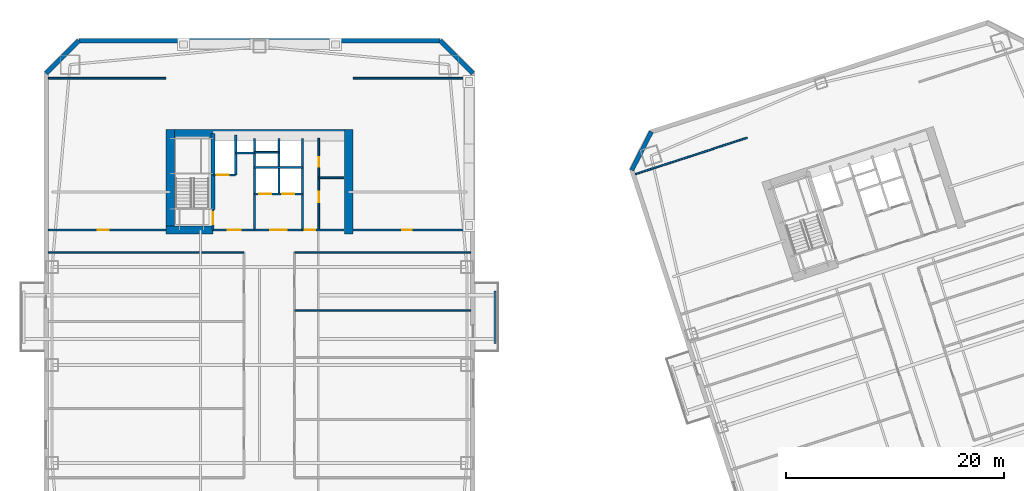
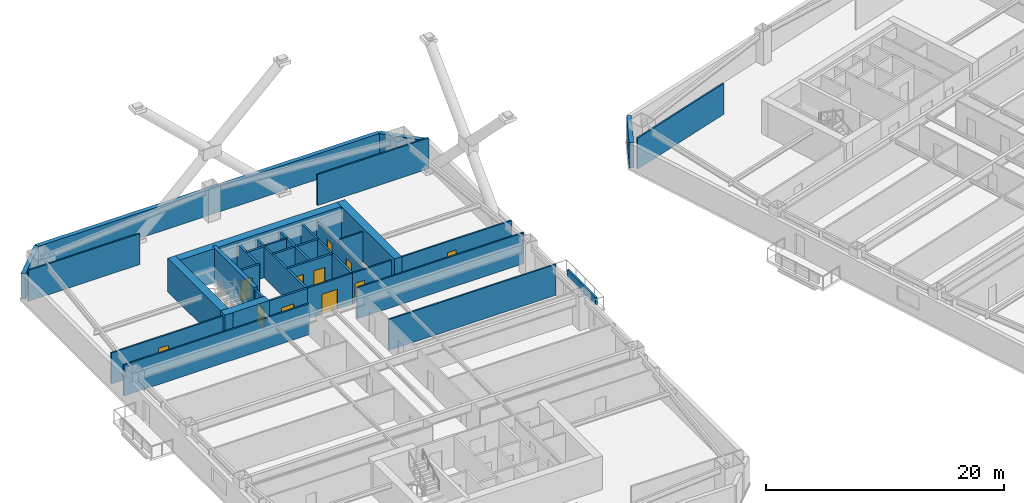
# One storey, part 6 of 15: 33 walls, 11 doors, 11 openings.
"""IFC4 building model written with IfcOpenShell, lengths in metres."""

from ifc_helpers import new_model, si_unit, direction, frame, frame_2d, origin, place, context, subcontext, project, spatial, rectangle, extrude, material, layer, layer_set, type_object, element, fill, save


model = new_model("IFC4")

# Units and contexts
model_context = context("Model", 3, precision=1e-05, world=origin(), true_north=direction((0.0, 1.0)))
body_context = subcontext(model_context, "Body", "Model", "MODEL_VIEW")
ifc_project = project(units=[si_unit("LENGTHUNIT", "METRE"), si_unit("AREAUNIT", "SQUARE_METRE"), si_unit("VOLUMEUNIT", "CUBIC_METRE"), si_unit("PLANEANGLEUNIT", "RADIAN"), si_unit("MASSUNIT", "GRAM", prefix="KILO")], contexts=[model_context])

# Site, building, storey
site_placement = place(None, origin())
site = spatial("IfcSite", under=ifc_project, at=site_placement, CompositionType="ELEMENT")
building_placement = place(site_placement, origin())
building = spatial("IfcBuilding", under=site, at=building_placement, Name="Qiaolan Cultural Towers", CompositionType="ELEMENT")
storey_placement = place(building_placement, frame((0.0, 0.0, 71.300048828125)))
storey = spatial("IfcBuildingStorey", under=building, at=storey_placement, Name="L17", CompositionType="ELEMENT", Elevation=71.300048828125)

# Walls
ifc_material_1 = material(Name="Concrete C50", Category="concrete")
ifc_layer_1 = layer(ifc_material_1, 0.35009765625)
ifc_layer_set_1 = layer_set([ifc_layer_1], Name="Concrete C50")
wall_type_1 = type_object("IfcWallType", Name="WL-CORE-350", PredefinedType="SHEAR", material=ifc_layer_set_1)
wall_1_placement = place(storey_placement, frame((25.719970703125, 48.300048828125, 0.0), z_axis=(0.0, 0.0, 1.0), x_axis=(0.0, 1.0, 0.0)))
element("IfcWall", 1, at=wall_1_placement, inside=storey, type_object=wall_type_1, Name="L17 T1-CN Stair Core Dividing Web", PredefinedType="SHEAR", context=body_context, shape_type="SweptSolid", body=[
    extrude(rectangle(XDim=6.97998046875, YDim=0.35009765625, at=frame_2d((3.489990234375, 0.0))), origin(), (0.0, 0.0, 1.0), 3.449951171875),
])
ifc_material_2 = material(Name="Concrete C60", Category="concrete")
ifc_layer_2 = layer(ifc_material_2, 0.75)
ifc_layer_set_2 = layer_set([ifc_layer_2], Name="Concrete C60")
wall_type_2 = type_object("IfcWallType", Name="WL-CORE-750", PredefinedType="SHEAR", material=ifc_layer_set_2)
wall_2_placement = place(storey_placement, frame((21.425048828125, 55.280029296875, 0.0), z_axis=(0.0, 0.0, 1.0), x_axis=(1.0, 0.0, 0.0)))
element("IfcWall", 2, at=wall_2_placement, inside=storey, type_object=wall_type_2, Name="L17 T1-CN Outer Core Shear Wall", PredefinedType="SHEAR", context=body_context, shape_type="SweptSolid", body=[
    extrude(rectangle(XDim=17.14990234375, YDim=0.75, at=frame_2d((8.574951171875, 0.0))), origin(), (0.0, 0.0, 1.0), 3.449951171875),
])
for number, where, z_axis, x_axis, name in (
    (3, (21.800048828125, 46.02490234375, 0.0), (0.0, 0.0, 1.0), (0.0, 1.0, 0.0), "L17 T1-CN West Core Shear Wall"),
    (4, (38.199951171875, 46.02490234375, 0.0), (0.0, 0.0, 1.0), (0.0, 1.0, 0.0), "L17 T1-CN East Core Shear Wall"),
):
    element("IfcWall", number, at=place(storey_placement, frame(where, z_axis=z_axis, x_axis=x_axis)), inside=storey, type_object=wall_type_2, Name=name, PredefinedType="SHEAR", context=body_context, shape_type="SweptSolid", body=[
        extrude(rectangle(XDim=9.630126953125, YDim=0.75, at=frame_2d((4.81494140625, 0.0))), origin(), (0.0, 0.0, 1.0), 3.449951171875),
    ])
wall_3_placement = place(storey_placement, frame((21.425048828125, 46.39990234375, 0.0), z_axis=(0.0, 0.0, 1.0), x_axis=(1.0, 0.0, 0.0)))
element("IfcWall", 5, at=wall_3_placement, inside=storey, type_object=wall_type_2, Name="L17 T1-CN Stair Front Shear Wall", PredefinedType="SHEAR", context=body_context, shape_type="SweptSolid", body=[
    extrude(rectangle(XDim=4.294921875, YDim=0.75, at=frame_2d((2.1474609375, 0.0))), origin(), (0.0, 0.0, 1.0), 3.449951171875),
])
ifc_material_3 = material(Name="Precast Concrete C50 Honed Stone Pier", Category="masonry")
ifc_layer_3 = layer(ifc_material_3, 0.39990234375)
ifc_layer_set_3 = layer_set([ifc_layer_3], Name="Precast Concrete C50 Honed Stone Pier")
wall_type_3 = type_object("IfcWallType", Name="WL-EXT-PIER-400", PredefinedType="SOLIDWALL", material=ifc_layer_set_3)
wall_4_placement = place(storey_placement, frame((10.39990234375, 60.800048828125, 0.0), z_axis=(0.0, 0.0, 1.0), x_axis=(0.707106781187, 0.707106781187, 0.0)))
element("IfcWall", 6, at=wall_4_placement, inside=storey, type_object=wall_type_3, Name="L17 West Tower Precast Pier Facade Wall F2", PredefinedType="SOLIDWALL", context=body_context, shape_type="SweptSolid", body=[
    extrude(rectangle(XDim=4.24267578125, YDim=0.39990234375, at=frame_2d((2.121337890625, 0.0))), origin(), (0.0, 0.0, 1.0), 2.60986328125),
])
wall_5_placement = place(storey_placement, frame((13.39990234375, 63.800048828125, 0.0), z_axis=(0.0, 0.0, 1.0), x_axis=(1.0, 0.0, 0.0)))
element("IfcWall", 7, at=wall_5_placement, inside=storey, type_object=wall_type_3, Name="L17 West Tower Precast Pier Facade Wall F3", PredefinedType="SOLIDWALL", context=body_context, shape_type="SweptSolid", body=[
    extrude(rectangle(XDim=33.2001953125, YDim=0.39990234375, at=frame_2d((16.60009765625, 0.0))), origin(), (0.0, 0.0, 1.0), 2.60986328125),
])
wall_6_placement = place(storey_placement, frame((46.60009765625, 63.800048828125, 0.0), z_axis=(0.0, 0.0, 1.0), x_axis=(0.707106781187, -0.707106781187, 0.0)))
element("IfcWall", 8, at=wall_6_placement, inside=storey, type_object=wall_type_3, Name="L17 West Tower Precast Pier Facade Wall F4", PredefinedType="SOLIDWALL", context=body_context, shape_type="SweptSolid", body=[
    extrude(rectangle(XDim=4.24267578125, YDim=0.39990234375, at=frame_2d((2.121337890625, 0.0))), origin(), (0.0, 0.0, 1.0), 2.60986328125),
])
wall_7_placement = place(storey_placement, frame((64.20458984375, 51.905029296875, 0.0), z_axis=(0.0, 0.0, 1.0), x_axis=(0.453958106755, 0.891023028497, 0.0)))
element("IfcWall", 9, at=wall_7_placement, inside=storey, type_object=wall_type_3, Name="L17 East Tower Precast Pier Facade Wall F2", PredefinedType="SOLIDWALL", context=body_context, shape_type="SweptSolid", body=[
    extrude(rectangle(XDim=3.9599609375, YDim=0.39990234375, at=frame_2d((1.97998046875, 0.0))), origin(), (0.0, 0.0, 1.0), 2.60986328125),
])

# Wall, opening, door
ifc_material_4 = material(Name="Concrete C35 Fire Wall", Category="concrete")
ifc_layer_4 = layer(ifc_material_4, 0.199951171875)
ifc_layer_set_4 = layer_set([ifc_layer_4], Name="Concrete C35 Fire Wall")
wall_type_4 = type_object("IfcWallType", Name="WL-FIRE-200", PredefinedType="PARTITIONING", material=ifc_layer_set_4)
wall_8_placement = place(storey_placement, frame((25.719970703125, 46.39990234375, 0.0), z_axis=(0.0, 0.0, 1.0), x_axis=(0.0, 1.0, 0.0)))
wall_8 = element("IfcWall", 10, at=wall_8_placement, inside=storey, type_object=wall_type_4, Name="L17 T1-CN Smokeproof Stair Entry Wall", PredefinedType="PARTITIONING", context=body_context, shape_type="SweptSolid", body=[
    extrude(rectangle(XDim=1.900146484375, YDim=0.199951171875, at=frame_2d((0.9501953125, 0.0))), origin(), (0.0, 0.0, 1.0), 3.175048828125),
])
opening_1_placement = place(wall_8_placement, frame((0.52001953125, 0.0, 0.0)))
opening_1 = element("IfcOpeningElement", 11, at=opening_1_placement, cuts=wall_8, Name="Opening FD-04", PredefinedType="OPENING", context=body_context, shape_type="SweptSolid", body=[
    extrude(rectangle(XDim=1.10009765625, YDim=2.050048828125, at=frame_2d((0.550048828125, 1.02490234375))), frame((0.0, 0.10986328125, 0.0), z_axis=(0.0, -1.0, 0.0), x_axis=(1.0, 0.0, 0.0)), (0.0, 0.0, 1.0), 0.219970703125),
])
ifc_material_5 = material(Name="Galvanized Steel Command Fire Door", Category="steel")
door_type_1 = type_object("IfcDoorType", Name="DR-FD90-1100", OperationType="NOTDEFINED", PredefinedType="DOOR", material=ifc_material_5)
door_1_placement = place(opening_1_placement, origin())
door_1 = element("IfcDoor", 12, at=door_1_placement, inside=storey, type_object=door_type_1, Name="L17 ST-W2 Smokeproof Stair Fire Door", OperationType="SINGLE_SWING_LEFT", OverallHeight=2.050048828125, OverallWidth=1.10009765625, PredefinedType="DOOR", context=body_context, shape_type="SweptSolid", body=[
    extrude(rectangle(XDim=1.10009765625, YDim=2.050048828125, at=frame_2d((0.550048828125, 1.02490234375))), frame((0.0, 0.02490234375, 0.0), z_axis=(0.0, -1.0, 0.0), x_axis=(1.0, 0.0, 0.0)), (0.0, 0.0, 1.0), 0.050048828125),
])
fill(opening_1, door_1)

# Wall
wall_9_placement = place(storey_placement, frame((29.550048828125, 46.39990234375, 0.0), z_axis=(0.0, 0.0, 1.0), x_axis=(0.0, 1.0, 0.0)))
element("IfcWall", 13, at=wall_9_placement, inside=storey, type_object=wall_type_4, Name="L17 T1-CN Firefighting Zone Wall", PredefinedType="PARTITIONING", context=body_context, shape_type="SweptSolid", body=[
    extrude(rectangle(XDim=8.43017578125, YDim=0.199951171875, at=frame_2d((4.215087890625, 0.0))), origin(), (0.0, 0.0, 1.0), 3.175048828125),
])

# Wall, opening, door
wall_10_placement = place(storey_placement, frame((25.719970703125, 46.39990234375, 0.0), z_axis=(0.0, 0.0, 1.0), x_axis=(1.0, 0.0, 0.0)))
wall_10 = element("IfcWall", 14, at=wall_10_placement, inside=storey, type_object=wall_type_4, Name="L17 T1-CN Firefighting Lobby Front Wall", PredefinedType="PARTITIONING", context=body_context, shape_type="SweptSolid", body=[
    extrude(rectangle(XDim=3.830078125, YDim=0.199951171875, at=frame_2d((1.9150390625, 0.0))), origin(), (0.0, 0.0, 1.0), 3.175048828125),
])
opening_2_placement = place(wall_10_placement, frame((1.35009765625, 0.0, 0.0)))
opening_2 = element("IfcOpeningElement", 15, at=opening_2_placement, cuts=wall_10, Name="Opening FD-03", PredefinedType="OPENING", context=body_context, shape_type="SweptSolid", body=[
    extrude(rectangle(XDim=1.199951171875, YDim=2.050048828125, at=frame_2d((0.60009765625, 1.02490234375))), frame((0.0, 0.10986328125, 0.0), z_axis=(0.0, -1.0, 0.0), x_axis=(1.0, 0.0, 0.0)), (0.0, 0.0, 1.0), 0.219970703125),
])
ifc_material_6 = material(Name="Galvanized Steel Smokeproof Lobby Fire Door", Category="steel")
door_type_2 = type_object("IfcDoorType", Name="DR-FD90-1200", OperationType="NOTDEFINED", PredefinedType="DOOR", material=ifc_material_6)
door_2_placement = place(opening_2_placement, origin())
door_2 = element("IfcDoor", 16, at=door_2_placement, inside=storey, type_object=door_type_2, Name="L17 FFL-W2 Firefighting Lobby Fire Door", OperationType="SINGLE_SWING_LEFT", OverallHeight=2.050048828125, OverallWidth=1.199951171875, PredefinedType="DOOR", context=body_context, shape_type="SweptSolid", body=[
    extrude(rectangle(XDim=1.199951171875, YDim=2.050048828125, at=frame_2d((0.60009765625, 1.02490234375))), frame((0.0, 0.02490234375, 0.0), z_axis=(0.0, -1.0, 0.0), x_axis=(1.0, 0.0, 0.0)), (0.0, 0.0, 1.0), 0.050048828125),
])
fill(opening_2, door_2)

wall_11_placement = place(storey_placement, frame((25.719970703125, 51.449951171875, 0.0), z_axis=(0.0, 0.0, 1.0), x_axis=(1.0, 0.0, 0.0)))
wall_11 = element("IfcWall", 17, at=wall_11_placement, inside=storey, type_object=wall_type_4, Name="L17 T1-CN Firefighting Shaft Front Wall", PredefinedType="PARTITIONING", context=body_context, shape_type="SweptSolid", body=[
    extrude(rectangle(XDim=2.10009765625, YDim=0.199951171875, at=frame_2d((1.050048828125, 0.0))), origin(), (0.0, 0.0, 1.0), 3.175048828125),
])
opening_3_placement = place(wall_11_placement, frame((0.35009765625, 0.0, 0.0)))
opening_3 = element("IfcOpeningElement", 18, at=opening_3_placement, cuts=wall_11, Name="Opening LD-01", PredefinedType="OPENING", context=body_context, shape_type="SweptSolid", body=[
    extrude(rectangle(XDim=1.10009765625, YDim=2.050048828125, at=frame_2d((0.550048828125, 1.02490234375))), frame((0.0, 0.10986328125, 0.0), z_axis=(0.0, -1.0, 0.0), x_axis=(1.0, 0.0, 0.0)), (0.0, 0.0, 1.0), 0.219970703125),
])
ifc_material_7 = material(Name="Brushed Stainless Steel S30408 Centre-Parting Lift Landing Door", Category="steel")
door_type_3 = type_object("IfcDoorType", Name="DR-LIFT-1100", OperationType="NOTDEFINED", PredefinedType="DOOR", material=ifc_material_7)
door_3_placement = place(opening_3_placement, origin())
door_3 = element("IfcDoor", 19, at=door_3_placement, inside=storey, type_object=door_type_3, Name="L17 FFL-W2 Firefighting Lift Landing Door", OperationType="DOUBLE_DOOR_SLIDING", OverallHeight=2.050048828125, OverallWidth=1.10009765625, PredefinedType="DOOR", context=body_context, shape_type="SweptSolid", body=[
    extrude(rectangle(XDim=1.10009765625, YDim=2.050048828125, at=frame_2d((0.550048828125, 1.02490234375))), frame((0.0, 0.02490234375, 0.0), z_axis=(0.0, -1.0, 0.0), x_axis=(1.0, 0.0, 0.0)), (0.0, 0.0, 1.0), 0.050048828125),
])
fill(opening_3, door_3)

# Walls
wall_12_placement = place(storey_placement, frame((27.820068359375, 51.449951171875, 0.0), z_axis=(0.0, 0.0, 1.0), x_axis=(0.0, 1.0, 0.0)))
element("IfcWall", 20, at=wall_12_placement, inside=storey, type_object=wall_type_4, Name="L17 T1-CN Firefighting Hoistway East Wall", PredefinedType="PARTITIONING", context=body_context, shape_type="SweptSolid", body=[
    extrude(rectangle(XDim=3.699951171875, YDim=0.199951171875, at=frame_2d((1.85009765625, 0.0))), origin(), (0.0, 0.0, 1.0), 3.175048828125),
])
wall_13_placement = place(storey_placement, frame((27.820068359375, 53.47998046875, 0.0), z_axis=(0.0, 0.0, 1.0), x_axis=(1.0, 0.0, 0.0)))
element("IfcWall", 21, at=wall_13_placement, inside=storey, type_object=wall_type_4, Name="L17 T1-CN Pressurization Shaft Front Wall", PredefinedType="PARTITIONING", context=body_context, shape_type="SweptSolid", body=[
    extrude(rectangle(XDim=1.72998046875, YDim=0.199951171875, at=frame_2d((0.864990234375, 0.0))), origin(), (0.0, 0.0, 1.0), 3.175048828125),
])
wall_14_placement = place(storey_placement, frame((33.949951171875, 46.39990234375, 0.0), z_axis=(0.0, 0.0, 1.0), x_axis=(0.0, 1.0, 0.0)))
element("IfcWall", 22, at=wall_14_placement, inside=storey, type_object=wall_type_4, Name="L17 T1-CN Lift Core East Wall", PredefinedType="PARTITIONING", context=body_context, shape_type="SweptSolid", body=[
    extrude(rectangle(XDim=8.43017578125, YDim=0.199951171875, at=frame_2d((4.215087890625, 0.0))), origin(), (0.0, 0.0, 1.0), 3.175048828125),
])

# Wall, openings, doors
wall_15_placement = place(storey_placement, frame((29.550048828125, 49.719970703125, 0.0), z_axis=(0.0, 0.0, 1.0), x_axis=(1.0, 0.0, 0.0)))
wall_15 = element("IfcWall", 23, at=wall_15_placement, inside=storey, type_object=wall_type_4, Name="L17 T1-CN Passenger Lift Shaft Front Wall", PredefinedType="PARTITIONING", context=body_context, shape_type="SweptSolid", body=[
    extrude(rectangle(XDim=4.39990234375, YDim=0.199951171875, at=frame_2d((2.199951171875, 0.0))), origin(), (0.0, 0.0, 1.0), 3.175048828125),
])
opening_4_placement = place(wall_15_placement, frame((0.449951171875, 0.0, 0.0)))
opening_4 = element("IfcOpeningElement", 24, at=opening_4_placement, cuts=wall_15, Name="Opening LD-01", PredefinedType="OPENING", context=body_context, shape_type="SweptSolid", body=[
    extrude(rectangle(XDim=1.10009765625, YDim=2.050048828125, at=frame_2d((0.550048828125, 1.02490234375))), frame((0.0, 0.10986328125, 0.0), z_axis=(0.0, -1.0, 0.0), x_axis=(1.0, 0.0, 0.0)), (0.0, 0.0, 1.0), 0.219970703125),
])
opening_5_placement = place(wall_15_placement, frame((2.550048828125, 0.0, 0.0)))
opening_5 = element("IfcOpeningElement", 25, at=opening_5_placement, cuts=wall_15, Name="Opening LD-01", PredefinedType="OPENING", context=body_context, shape_type="SweptSolid", body=[
    extrude(rectangle(XDim=1.10009765625, YDim=2.050048828125, at=frame_2d((0.550048828125, 1.02490234375))), frame((0.0, 0.10986328125, 0.0), z_axis=(0.0, -1.0, 0.0), x_axis=(1.0, 0.0, 0.0)), (0.0, 0.0, 1.0), 0.219970703125),
])
door_4_placement = place(opening_4_placement, origin())
door_4 = element("IfcDoor", 26, at=door_4_placement, inside=storey, type_object=door_type_3, Name="L17 Passenger Lift 1 Landing Door", OperationType="DOUBLE_DOOR_SLIDING", OverallHeight=2.050048828125, OverallWidth=1.10009765625, PredefinedType="DOOR", context=body_context, shape_type="SweptSolid", body=[
    extrude(rectangle(XDim=1.10009765625, YDim=2.050048828125, at=frame_2d((0.550048828125, 1.02490234375))), frame((0.0, 0.02490234375, 0.0), z_axis=(0.0, -1.0, 0.0), x_axis=(1.0, 0.0, 0.0)), (0.0, 0.0, 1.0), 0.050048828125),
])
fill(opening_4, door_4)
door_5_placement = place(opening_5_placement, origin())
door_5 = element("IfcDoor", 27, at=door_5_placement, inside=storey, type_object=door_type_3, Name="L17 Passenger Lift 2 Landing Door", OperationType="DOUBLE_DOOR_SLIDING", OverallHeight=2.050048828125, OverallWidth=1.10009765625, PredefinedType="DOOR", context=body_context, shape_type="SweptSolid", body=[
    extrude(rectangle(XDim=1.10009765625, YDim=2.050048828125, at=frame_2d((0.550048828125, 1.02490234375))), frame((0.0, 0.02490234375, 0.0), z_axis=(0.0, -1.0, 0.0), x_axis=(1.0, 0.0, 0.0)), (0.0, 0.0, 1.0), 0.050048828125),
])
fill(opening_5, door_5)

# Walls
wall_16_placement = place(storey_placement, frame((31.780029296875, 49.719970703125, 0.0), z_axis=(0.0, 0.0, 1.0), x_axis=(0.0, 1.0, 0.0)))
element("IfcWall", 28, at=wall_16_placement, inside=storey, type_object=wall_type_4, Name="L17 T1-CN Lift Shaft Divider Wall", PredefinedType="PARTITIONING", context=body_context, shape_type="SweptSolid", body=[
    extrude(rectangle(XDim=5.110107421875, YDim=0.199951171875, at=frame_2d((2.55517578125, 0.0))), origin(), (0.0, 0.0, 1.0), 3.175048828125),
])
wall_17_placement = place(storey_placement, frame((29.550048828125, 52.14990234375, 0.0), z_axis=(0.0, 0.0, 1.0), x_axis=(1.0, 0.0, 0.0)))
element("IfcWall", 29, at=wall_17_placement, inside=storey, type_object=wall_type_4, Name="L17 T1-CN Passenger Lift Shaft Back Wall", PredefinedType="PARTITIONING", context=body_context, shape_type="SweptSolid", body=[
    extrude(rectangle(XDim=4.39990234375, YDim=0.199951171875, at=frame_2d((2.199951171875, 0.0))), origin(), (0.0, 0.0, 1.0), 3.175048828125),
])

# Wall, opening, door
ifc_material_8 = material(Name="Autoclaved Aerated Concrete Block B06", Category="concrete")
ifc_layer_5 = layer(ifc_material_8, 0.14990234375)
ifc_layer_set_5 = layer_set([ifc_layer_5], Name="Autoclaved Aerated Concrete Block B06")
wall_type_5 = type_object("IfcWallType", Name="WL-PART-150", PredefinedType="PARTITIONING", material=ifc_layer_set_5)
wall_18_placement = place(storey_placement, frame((29.550048828125, 46.39990234375, 0.0), z_axis=(0.0, 0.0, 1.0), x_axis=(1.0, 0.0, 0.0)))
wall_18 = element("IfcWall", 30, at=wall_18_placement, inside=storey, type_object=wall_type_5, Name="L17 T1-CN Passenger Lift Lobby Front Wall", PredefinedType="PARTITIONING", context=body_context, shape_type="SweptSolid", body=[
    extrude(rectangle(XDim=4.39990234375, YDim=0.14990234375, at=frame_2d((2.199951171875, 0.0))), origin(), (0.0, 0.0, 1.0), 3.175048828125),
])
opening_6_placement = place(wall_18_placement, frame((1.449951171875, 0.0, 0.0)))
opening_6 = element("IfcOpeningElement", 31, at=opening_6_placement, cuts=wall_18, Name="Opening FD-05", PredefinedType="OPENING", context=body_context, shape_type="SweptSolid", body=[
    extrude(rectangle(XDim=1.5, YDim=2.050048828125, at=frame_2d((0.75, 1.02490234375))), frame((0.0, 0.0849609375, 0.0), z_axis=(0.0, -1.0, 0.0), x_axis=(1.0, 0.0, 0.0)), (0.0, 0.0, 1.0), 0.169921875),
])
ifc_material_9 = material(Name="Painted Steel Lift Lobby Fire Door", Category="steel")
door_type_4 = type_object("IfcDoorType", Name="DR-FD60-1500", OperationType="NOTDEFINED", PredefinedType="DOOR", material=ifc_material_9)
door_6_placement = place(opening_6_placement, origin())
door_6 = element("IfcDoor", 32, at=door_6_placement, inside=storey, type_object=door_type_4, Name="L17 Passenger Lift Lobby Entrance", OperationType="SINGLE_SWING_LEFT", OverallHeight=2.050048828125, OverallWidth=1.5, PredefinedType="DOOR", context=body_context, shape_type="SweptSolid", body=[
    extrude(rectangle(XDim=1.5, YDim=2.050048828125, at=frame_2d((0.75, 1.02490234375))), frame((0.0, 0.02490234375, 0.0), z_axis=(0.0, -1.0, 0.0), x_axis=(1.0, 0.0, 0.0)), (0.0, 0.0, 1.0), 0.050048828125),
])
fill(opening_6, door_6)

# Wall
wall_19_placement = place(storey_placement, frame((29.550048828125, 53.550048828125, 0.0), z_axis=(0.0, 0.0, 1.0), x_axis=(1.0, 0.0, 0.0)))
element("IfcWall", 33, at=wall_19_placement, inside=storey, type_object=wall_type_5, Name="L17 T1-CN Core Rear Riser Split", PredefinedType="PARTITIONING", context=body_context, shape_type="SweptSolid", body=[
    extrude(rectangle(XDim=2.22998046875, YDim=0.14990234375, at=frame_2d((1.114990234375, 0.0))), origin(), (0.0, 0.0, 1.0), 3.175048828125),
])

# Wall, opening, door
wall_20_placement = place(storey_placement, frame((33.949951171875, 46.39990234375, 0.0), z_axis=(0.0, 0.0, 1.0), x_axis=(1.0, 0.0, 0.0)))
wall_20 = element("IfcWall", 34, at=wall_20_placement, inside=storey, type_object=wall_type_5, Name="L17 T1-CN Sanitary Core Front Wall", PredefinedType="PARTITIONING", context=body_context, shape_type="SweptSolid", body=[
    extrude(rectangle(XDim=3.800048828125, YDim=0.14990234375, at=frame_2d((1.89990234375, 0.0))), origin(), (0.0, 0.0, 1.0), 3.175048828125),
])
opening_7_placement = place(wall_20_placement, frame((0.219970703125, 0.0, 0.0)))
opening_7 = element("IfcOpeningElement", 35, at=opening_7_placement, cuts=wall_20, Name="Opening ID-05", PredefinedType="OPENING", context=body_context, shape_type="SweptSolid", body=[
    extrude(rectangle(XDim=0.949951171875, YDim=2.050048828125, at=frame_2d((0.47509765625, 1.02490234375))), frame((0.0, 0.0849609375, 0.0), z_axis=(0.0, -1.0, 0.0), x_axis=(1.0, 0.0, 0.0)), (0.0, 0.0, 1.0), 0.169921875),
])
ifc_material_10 = material(Name="Fire-Rated Laminate Accessible Core Door", Category="timber")
door_type_5 = type_object("IfcDoorType", Name="DR-INT-950", OperationType="NOTDEFINED", PredefinedType="DOOR", material=ifc_material_10)
door_7_placement = place(opening_7_placement, origin())
door_7 = element("IfcDoor", 36, at=door_7_placement, inside=storey, type_object=door_type_5, Name="L17 Sanitary Lobby Door", OperationType="SINGLE_SWING_LEFT", OverallHeight=2.050048828125, OverallWidth=0.949951171875, PredefinedType="DOOR", context=body_context, shape_type="SweptSolid", body=[
    extrude(rectangle(XDim=0.949951171875, YDim=2.050048828125, at=frame_2d((0.47509765625, 1.02490234375))), frame((0.0, 0.02490234375, 0.0), z_axis=(0.0, -1.0, 0.0), x_axis=(1.0, 0.0, 0.0)), (0.0, 0.0, 1.0), 0.050048828125),
])
fill(opening_7, door_7)

# Wall, openings, doors
wall_21_placement = place(storey_placement, frame((35.449951171875, 46.39990234375, 0.0), z_axis=(0.0, 0.0, 1.0), x_axis=(0.0, 1.0, 0.0)))
wall_21 = element("IfcWall", 37, at=wall_21_placement, inside=storey, type_object=wall_type_5, Name="L17 T1-CN Washroom Split Wall", PredefinedType="PARTITIONING", context=body_context, shape_type="SweptSolid", body=[
    extrude(rectangle(XDim=8.43017578125, YDim=0.14990234375, at=frame_2d((4.215087890625, 0.0))), origin(), (0.0, 0.0, 1.0), 2.81494140625),
])
opening_8_placement = place(wall_21_placement, frame((2.550048828125, 0.0, 0.0)))
opening_8 = element("IfcOpeningElement", 38, at=opening_8_placement, cuts=wall_21, Name="Opening ID-05", PredefinedType="OPENING", context=body_context, shape_type="SweptSolid", body=[
    extrude(rectangle(XDim=0.949951171875, YDim=2.050048828125, at=frame_2d((0.47509765625, 1.02490234375))), frame((0.0, 0.0849609375, 0.0), z_axis=(0.0, -1.0, 0.0), x_axis=(1.0, 0.0, 0.0)), (0.0, 0.0, 1.0), 0.169921875),
])
opening_9_placement = place(wall_21_placement, frame((5.800048828125, 0.0, 0.0)))
opening_9 = element("IfcOpeningElement", 39, at=opening_9_placement, cuts=wall_21, Name="Opening ID-06", PredefinedType="OPENING", context=body_context, shape_type="SweptSolid", body=[
    extrude(rectangle(XDim=0.89990234375, YDim=2.050048828125, at=frame_2d((0.449951171875, 1.02490234375))), frame((0.0, 0.0849609375, 0.0), z_axis=(0.0, -1.0, 0.0), x_axis=(1.0, 0.0, 0.0)), (0.0, 0.0, 1.0), 0.169921875),
])
ifc_material_11 = material(Name="Fire-Rated Laminate Core Service Door", Category="timber")
door_type_6 = type_object("IfcDoorType", Name="DR-INT-900", OperationType="NOTDEFINED", PredefinedType="DOOR", material=ifc_material_11)
door_8_placement = place(opening_9_placement, origin())
door_8 = element("IfcDoor", 40, at=door_8_placement, inside=storey, type_object=door_type_6, Name="L17 First-Aid Room Door", OperationType="SINGLE_SWING_RIGHT", OverallHeight=2.050048828125, OverallWidth=0.89990234375, PredefinedType="DOOR", context=body_context, shape_type="SweptSolid", body=[
    extrude(rectangle(XDim=0.89990234375, YDim=2.050048828125, at=frame_2d((0.449951171875, 1.02490234375))), frame((0.0, 0.02490234375, 0.0), z_axis=(0.0, -1.0, 0.0), x_axis=(1.0, 0.0, 0.0)), (0.0, 0.0, 1.0), 0.050048828125),
])
fill(opening_9, door_8)
door_9_placement = place(opening_8_placement, origin())
door_9 = element("IfcDoor", 41, at=door_9_placement, inside=storey, type_object=door_type_5, Name="L17 Accessible Washroom Door", OperationType="SINGLE_SWING_LEFT", OverallHeight=2.050048828125, OverallWidth=0.949951171875, PredefinedType="DOOR", context=body_context, shape_type="SweptSolid", body=[
    extrude(rectangle(XDim=0.949951171875, YDim=2.050048828125, at=frame_2d((0.47509765625, 1.02490234375))), frame((0.0, 0.02490234375, 0.0), z_axis=(0.0, -1.0, 0.0), x_axis=(1.0, 0.0, 0.0)), (0.0, 0.0, 1.0), 0.050048828125),
])
fill(opening_8, door_9)

# Walls
wall_22_placement = place(storey_placement, frame((35.449951171875, 51.199951171875, 0.0), z_axis=(0.0, 0.0, 1.0), x_axis=(1.0, 0.0, 0.0)))
element("IfcWall", 42, at=wall_22_placement, inside=storey, type_object=wall_type_5, Name="L17 T1-CN First-Aid Wall", PredefinedType="PARTITIONING", context=body_context, shape_type="SweptSolid", body=[
    extrude(rectangle(XDim=2.300048828125, YDim=0.14990234375, at=frame_2d((1.14990234375, 0.0))), origin(), (0.0, 0.0, 1.0), 3.175048828125),
])
wall_23_placement = place(storey_placement, frame((10.60009765625, 60.35009765625, 0.0), z_axis=(0.0, 0.0, 1.0), x_axis=(1.0, 0.0, 0.0)))
element("IfcWall", 43, at=wall_23_placement, inside=storey, type_object=wall_type_5, Name="L17 T1 Flank Wall FLK-NW", PredefinedType="PARTITIONING", context=body_context, shape_type="SweptSolid", body=[
    extrude(rectangle(XDim=10.7998046875, YDim=0.14990234375, at=frame_2d((5.39990234375, 0.0))), origin(), (0.0, 0.0, 1.0), 3.175048828125),
])

# Wall, opening, door
wall_24_placement = place(storey_placement, frame((10.60009765625, 46.39990234375, 0.0), z_axis=(0.0, 0.0, 1.0), x_axis=(1.0, 0.0, 0.0)))
wall_24 = element("IfcWall", 44, at=wall_24_placement, inside=storey, type_object=wall_type_5, Name="L17 T1 Flank Front FLK-NW", PredefinedType="PARTITIONING", context=body_context, shape_type="SweptSolid", body=[
    extrude(rectangle(XDim=10.7998046875, YDim=0.14990234375, at=frame_2d((5.39990234375, 0.0))), origin(), (0.0, 0.0, 1.0), 3.175048828125),
])
opening_10_placement = place(wall_24_placement, frame((4.535888671875, 0.0, 0.0)))
opening_10 = element("IfcOpeningElement", 45, at=opening_10_placement, cuts=wall_24, Name="Opening ID-04", PredefinedType="OPENING", context=body_context, shape_type="SweptSolid", body=[
    extrude(rectangle(XDim=1.0, YDim=2.050048828125, at=frame_2d((0.5, 1.02490234375))), frame((0.0, 0.0849609375, 0.0), z_axis=(0.0, -1.0, 0.0), x_axis=(1.0, 0.0, 0.0)), (0.0, 0.0, 1.0), 0.169921875),
])
ifc_material_12 = material(Name="Oak Veneer Acoustic Office Door", Category="timber")
door_type_7 = type_object("IfcDoorType", Name="DR-INT-1000", OperationType="NOTDEFINED", PredefinedType="DOOR", material=ifc_material_12)
door_10_placement = place(opening_10_placement, origin())
door_10 = element("IfcDoor", 46, at=door_10_placement, inside=storey, type_object=door_type_7, Name="L17 T1 Corner Studio Door", OperationType="SINGLE_SWING_LEFT", OverallHeight=2.050048828125, OverallWidth=1.0, PredefinedType="DOOR", context=body_context, shape_type="SweptSolid", body=[
    extrude(rectangle(XDim=1.0, YDim=2.050048828125, at=frame_2d((0.5, 1.02490234375))), frame((0.0, 0.02490234375, 0.0), z_axis=(0.0, -1.0, 0.0), x_axis=(1.0, 0.0, 0.0)), (0.0, 0.0, 1.0), 0.050048828125),
])
fill(opening_10, door_10)

# Wall
wall_25_placement = place(storey_placement, frame((38.60009765625, 60.35009765625, 0.0), z_axis=(0.0, 0.0, 1.0), x_axis=(1.0, 0.0, 0.0)))
element("IfcWall", 47, at=wall_25_placement, inside=storey, type_object=wall_type_5, Name="L17 T1 Flank Wall FLK-NE", PredefinedType="PARTITIONING", context=body_context, shape_type="SweptSolid", body=[
    extrude(rectangle(XDim=10.7998046875, YDim=0.14990234375, at=frame_2d((5.39990234375, 0.0))), origin(), (0.0, 0.0, 1.0), 3.175048828125),
])

# Wall, opening, door
wall_26_placement = place(storey_placement, frame((38.60009765625, 46.39990234375, 0.0), z_axis=(0.0, 0.0, 1.0), x_axis=(1.0, 0.0, 0.0)))
wall_26 = element("IfcWall", 48, at=wall_26_placement, inside=storey, type_object=wall_type_5, Name="L17 T1 Flank Front FLK-NE", PredefinedType="PARTITIONING", context=body_context, shape_type="SweptSolid", body=[
    extrude(rectangle(XDim=10.7998046875, YDim=0.14990234375, at=frame_2d((5.39990234375, 0.0))), origin(), (0.0, 0.0, 1.0), 3.175048828125),
])
opening_11_placement = place(wall_26_placement, frame((4.535888671875, 0.0, 0.0)))
opening_11 = element("IfcOpeningElement", 49, at=opening_11_placement, cuts=wall_26, Name="Opening ID-09", PredefinedType="OPENING", context=body_context, shape_type="SweptSolid", body=[
    extrude(rectangle(XDim=0.85009765625, YDim=2.050048828125, at=frame_2d((0.425048828125, 1.02490234375))), frame((0.0, 0.0849609375, 0.0), z_axis=(0.0, -1.0, 0.0), x_axis=(1.0, 0.0, 0.0)), (0.0, 0.0, 1.0), 0.169921875),
])
ifc_material_13 = material(Name="Moisture-Resistant Laminate Utility Door", Category="timber")
door_type_8 = type_object("IfcDoorType", Name="DR-INT-850", OperationType="NOTDEFINED", PredefinedType="DOOR", material=ifc_material_13)
door_11_placement = place(opening_11_placement, origin())
door_11 = element("IfcDoor", 50, at=door_11_placement, inside=storey, type_object=door_type_8, Name="L17 T1 Corner Studio Door", OperationType="SINGLE_SWING_LEFT", OverallHeight=2.050048828125, OverallWidth=0.85009765625, PredefinedType="DOOR", context=body_context, shape_type="SweptSolid", body=[
    extrude(rectangle(XDim=0.85009765625, YDim=2.050048828125, at=frame_2d((0.425048828125, 1.02490234375))), frame((0.0, 0.02490234375, 0.0), z_axis=(0.0, -1.0, 0.0), x_axis=(1.0, 0.0, 0.0)), (0.0, 0.0, 1.0), 0.050048828125),
])
fill(opening_11, door_11)

# Walls
wall_27_placement = place(storey_placement, frame((10.60009765625, 44.35009765625, 0.0), z_axis=(0.0, 0.0, 1.0), x_axis=(1.0, 0.0, 0.0)))
element("IfcWall", 51, at=wall_27_placement, inside=storey, type_object=wall_type_5, Name="L17 T1 North Corridor Left Wall", PredefinedType="PARTITIONING", context=body_context, shape_type="SweptSolid", body=[
    extrude(rectangle(XDim=17.974853515625, YDim=0.14990234375, at=frame_2d((8.9873046875, 0.0))), origin(), (0.0, 0.0, 1.0), 3.175048828125),
])
for number, where, z_axis, x_axis, name in (
    (52, (33.22509765625, 44.35009765625, 0.0), (0.0, 0.0, 1.0), (1.0, 0.0, 0.0), "L17 T1 North Corridor Right Wall"),
    (53, (33.22509765625, 39.0, 0.0), (0.0, 0.0, 1.0), (1.0, 0.0, 0.0), "L17 T1 East Partition 3"),
):
    element("IfcWall", number, at=place(storey_placement, frame(where, z_axis=z_axis, x_axis=x_axis)), inside=storey, type_object=wall_type_5, Name=name, PredefinedType="PARTITIONING", context=body_context, shape_type="SweptSolid", body=[
        extrude(rectangle(XDim=16.1748046875, YDim=0.14990234375, at=frame_2d((8.08740234375, 0.0))), origin(), (0.0, 0.0, 1.0), 3.175048828125),
    ])
wall_28_placement = place(storey_placement, frame((64.53369140625, 51.538818359375, 0.0), z_axis=(0.0, 0.0, 1.0), x_axis=(0.951056658866, 0.309016555588, 0.0)))
element("IfcWall", 54, at=wall_28_placement, inside=storey, type_object=wall_type_5, Name="L17 T2 Flank Wall FLK-NW", PredefinedType="PARTITIONING", context=body_context, shape_type="SweptSolid", body=[
    extrude(rectangle(XDim=10.800048828125, YDim=0.14990234375, at=frame_2d((5.39990234375, 0.0))), origin(), (0.0, 0.0, 1.0), 3.175048828125),
])
ifc_material_14 = material(Name="Precast Concrete C45 Tree Planter Upstand", Category="concrete")
ifc_layer_6 = layer(ifc_material_14, 0.199951171875)
ifc_layer_set_6 = layer_set([ifc_layer_6], Name="Precast Concrete C45 Tree Planter Upstand")
wall_type_6 = type_object("IfcWallType", Name="WL-PLANTER-200", PredefinedType="PARAPET", material=ifc_layer_set_6)
wall_29_placement = place(storey_placement, frame((51.64990234375, 36.0, 0.0), z_axis=(0.0, 0.0, 1.0), x_axis=(0.0, 1.0, 0.0)))
element("IfcWall", 55, at=wall_29_placement, inside=storey, type_object=wall_type_6, Name="L17 T1 Tree Balcony Soil Planter Box E", PredefinedType="PARAPET", context=body_context, shape_type="SweptSolid", body=[
    extrude(rectangle(XDim=4.800048828125, YDim=0.199951171875, at=frame_2d((2.39990234375, 0.0))), origin(), (0.0, 0.0, 1.0), 0.75),
])

save(model, "model.ifc")
